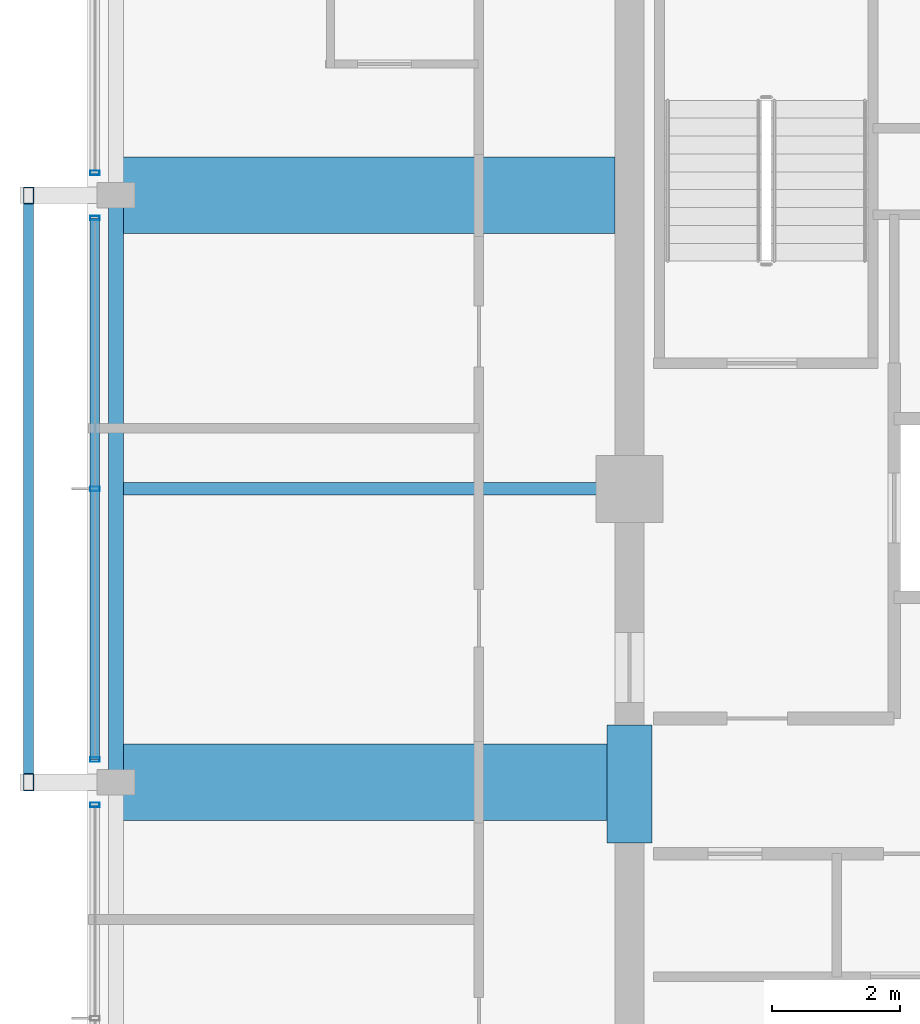
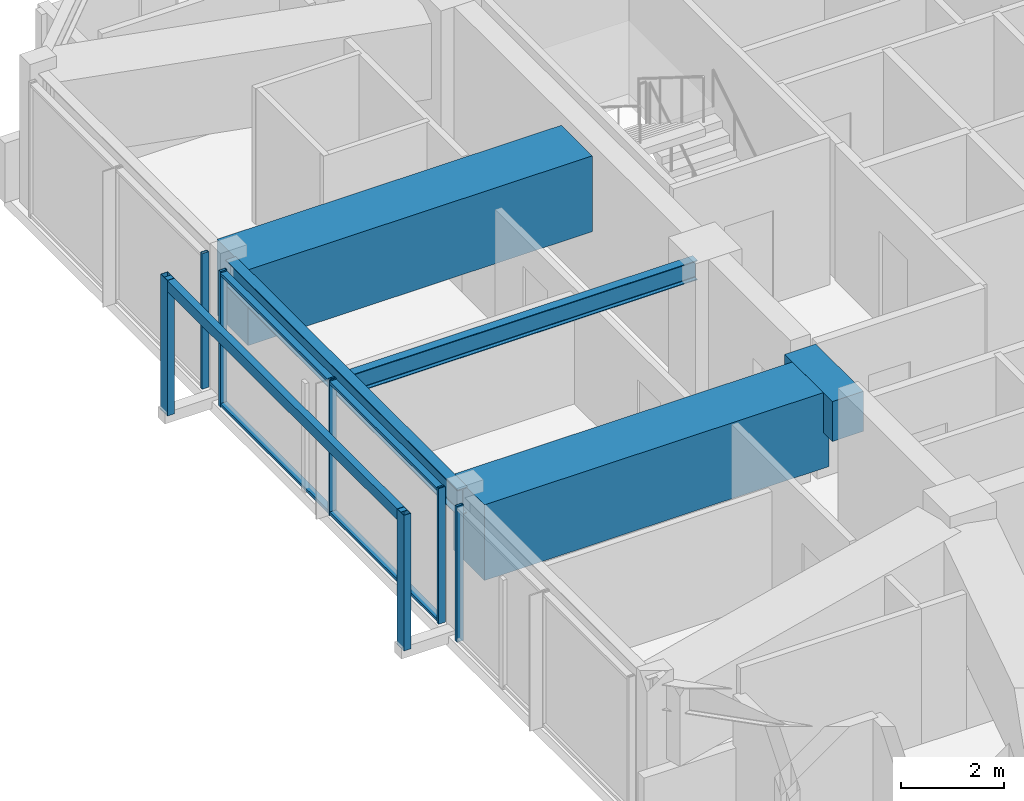
# One storey, part 8 of 30: 10 members, 5 beams, 3 elements without a shape of their own.
"""IFC4 building model written with IfcOpenShell, lengths in metres."""

from ifc_helpers import new_model, si_unit, direction, frame, origin, origin_2d, place, context, subcontext, project, spatial, rectangle, hollow_rectangle, i_section, extrude, material, material_profile, profile_set, type_object, element, aggregate, save


model = new_model("IFC4")

# Units and contexts
model_context = context("Model", 3, precision=1e-05, world=origin(), true_north=direction((0.0, 1.0)))
body_context = subcontext(model_context, "Body", "Model", "MODEL_VIEW")
ifc_project = project(units=[si_unit("LENGTHUNIT", "METRE"), si_unit("AREAUNIT", "SQUARE_METRE"), si_unit("VOLUMEUNIT", "CUBIC_METRE"), si_unit("PLANEANGLEUNIT", "RADIAN"), si_unit("MASSUNIT", "GRAM", prefix="KILO")], contexts=[model_context])

# Site, building, storey
site_placement = place(None, origin())
site = spatial("IfcSite", under=ifc_project, at=site_placement, CompositionType="ELEMENT")
building_placement = place(site_placement, origin())
building = spatial("IfcBuilding", under=site, at=building_placement, Name="Kolvaren Belvedere", CompositionType="ELEMENT")
storey_placement = place(building_placement, frame((0.0, 0.0, 254.89990234375)))
storey = spatial("IfcBuildingStorey", under=building, at=storey_placement, Name="L74", CompositionType="ELEMENT", Elevation=254.89990234375)

# Beams
ifc_material_1 = material(Name="Structural steel ASTM A992 Grade 50", Category="steel")
ifc_material_profile_1 = material_profile(ifc_material_1, i_section(OverallWidth=0.19091796875, OverallDepth=0.4599609375, WebThickness=0.010009765625, FlangeThickness=0.01611328125, FilletRadius=0.014892578125, at=origin_2d()), Name="W18X55")
ifc_profile_set_1 = profile_set([ifc_material_profile_1], Name="Structural steel ASTM A992 Grade 50")
beam_type_1 = type_object("IfcBeamType", Name="BM-JOIST-W18X55", PredefinedType="BEAM", material=ifc_profile_set_1)
beam_1_placement = place(storey_placement, frame((-10.125, 0.0, 2.989990234375), z_axis=(-1.0, 0.0, 0.0), x_axis=(0.0, -1.0, 0.0)))
element("IfcBeam", 1, at=beam_1_placement, inside=storey, type_object=beam_type_1, Name="L74 West Centre Floor Beam", PredefinedType="BEAM", context=body_context, shape_type="SweptSolid", body=[
    extrude(i_section(OverallWidth=0.19091796875, OverallDepth=0.4599609375, WebThickness=0.010009765625, FlangeThickness=0.01611328125, FilletRadius=0.014892578125, at=origin_2d()), origin(), (0.0, 0.0, 1.0), 7.71044921875),
])
ifc_material_2 = material(Name="Concrete C60/75", Category="concrete")
ifc_material_profile_2 = material_profile(ifc_material_2, rectangle(XDim=0.699951171875, YDim=0.949951171875, at=origin_2d()), Name="RC 700X950")
ifc_profile_set_2 = profile_set([ifc_material_profile_2], Name="Concrete C60/75")
beam_type_2 = type_object("IfcBeamType", Name="BM-LINT-950", PredefinedType="LINTEL", material=ifc_profile_set_2)
beam_2_placement = place(storey_placement, frame((-9.89990234375, -5.550048828125, 2.7451171875), z_axis=(0.0, 1.0, 0.0), x_axis=(-1.0, 0.0, 0.0)))
element("IfcBeam", 2, at=beam_2_placement, inside=storey, type_object=beam_type_2, Name="L74 West Core Coupling Lintel", PredefinedType="LINTEL", context=body_context, shape_type="SweptSolid", body=[
    extrude(rectangle(XDim=0.699951171875, YDim=0.949951171875, at=origin_2d()), origin(), (0.0, 0.0, 1.0), 1.85009765625),
])
ifc_material_3 = material(Name="Structural steel ASTM A992 Grade 50", Category="steel")
ifc_material_profile_3 = material_profile(ifc_material_3, i_section(OverallWidth=0.22900390625, OverallDepth=0.612060546875, WebThickness=0.011962890625, FlangeThickness=0.01953125, FilletRadius=0.01806640625, at=origin_2d()), Name="W24X84")
ifc_profile_set_3 = profile_set([ifc_material_profile_3], Name="Structural steel ASTM A992 Grade 50")
beam_type_3 = type_object("IfcBeamType", Name="BM-SPAN-W24X84", PredefinedType="SPANDREL", material=ifc_profile_set_3)
beam_3_placement = place(storey_placement, frame((-17.949951171875, 4.510009765625, 2.9140625), z_axis=(0.0, -1.0, 0.0), x_axis=(1.0, 0.0, 0.0)))
element("IfcBeam", 3, at=beam_3_placement, inside=storey, type_object=beam_type_3, Name="L74 Perimeter Spandrel W3-W2", PredefinedType="SPANDREL", context=body_context, shape_type="SweptSolid", body=[
    extrude(i_section(OverallWidth=0.22900390625, OverallDepth=0.612060546875, WebThickness=0.011962890625, FlangeThickness=0.01953125, FilletRadius=0.01806640625, at=origin_2d()), origin(), (0.0, 0.0, 1.0), 9.02001953125),
])
ifc_material_4 = material(Name="Concrete C50/60", Category="concrete")
ifc_material_profile_4 = material_profile(ifc_material_4, rectangle(XDim=1.199951171875, YDim=1.800048828125, at=origin_2d()), Name="RC 1200X1800")
ifc_profile_set_4 = profile_set([ifc_material_profile_4], Name="Concrete C50/60")
beam_type_4 = type_object("IfcBeamType", Name="BM-TG-1800", PredefinedType="BEAM", material=ifc_profile_set_4)
for number, where, z_axis, x_axis, name in (
    (4, (-10.125, 4.60009765625, 2.320068359375), (-1.0, 0.0, 0.0), (0.0, -1.0, 0.0), "L74 West Radial Girder P"),
    (5, (-10.125, -4.60009765625, 2.320068359375), (-1.0, 0.0, 0.0), (0.0, -1.0, 0.0), "L74 West Radial Girder M"),
):
    element("IfcBeam", number, at=place(storey_placement, frame(where, z_axis=z_axis, x_axis=x_axis)), inside=storey, type_object=beam_type_4, Name=name, PredefinedType="BEAM", context=body_context, shape_type="SweptSolid", body=[
        extrude(rectangle(XDim=1.199951171875, YDim=1.800048828125, at=origin_2d()), origin(), (0.0, 0.0, 1.0), 7.735107421875),
    ])

# Curtain wall, member
ifc_material_5 = material(Name="Anodised pale-metal aluminium AA 6063-T6", Category="aluminium")
curtain_wall_type = type_object("IfcCurtainWallType", Name="CW-Z5-HIGH", PredefinedType="NOTDEFINED", material=ifc_material_5)
curtain_wall_1_placement = place(storey_placement, origin())
curtain_wall_1 = element("IfcCurtainWall", 6, at=curtain_wall_1_placement, inside=storey, type_object=curtain_wall_type, Name="L74 Unitised Curtain Wall FCW-L74-W-B1", PredefinedType="NOTDEFINED")
ifc_material_6 = material(Name="Anodised pale-metal aluminium AA 6063-T6", Category="aluminium")
ifc_material_profile_5 = material_profile(ifc_material_6, hollow_rectangle(XDim=0.070068359375, YDim=0.14990234375, WallThickness=0.004150390625, at=origin_2d()), Name="ALU-MUL-150X70")
ifc_profile_set_5 = profile_set([ifc_material_profile_5], Name="Anodised pale-metal aluminium AA 6063-T6")
member_type_1 = type_object("IfcMemberType", Name="CW-MUL-150", PredefinedType="MULLION", material=ifc_profile_set_5)
member_1_placement = place(storey_placement, frame((-18.280029296875, -4.955078125, 0.0), z_axis=(0.0, 0.0, 1.0), x_axis=(0.0, 1.0, 0.0)))
member_1 = element("IfcMember", 7, at=member_1_placement, type_object=member_type_1, Name="FCW-L74-W-B1 Unitised Mullion 3", PredefinedType="MULLION", context=body_context, shape_type="SweptSolid", body=[
    extrude(hollow_rectangle(XDim=0.070068359375, YDim=0.14990234375, WallThickness=0.004150390625, at=origin_2d()), origin(), (0.0, 0.0, 1.0), 3.22021484375),
])
aggregate(curtain_wall_1, [member_1])

# Curtain wall, members
curtain_wall_2_placement = place(storey_placement, origin())
curtain_wall_2 = element("IfcCurtainWall", 8, at=curtain_wall_2_placement, inside=storey, type_object=curtain_wall_type, Name="L74 Unitised Curtain Wall FCW-L74-W-B2", PredefinedType="NOTDEFINED")
member_2_placement = place(storey_placement, frame((-18.280029296875, -4.2451171875, 0.0), z_axis=(0.0, 0.0, 1.0), x_axis=(0.0, 1.0, 0.0)))
member_2 = element("IfcMember", 9, at=member_2_placement, type_object=member_type_1, Name="FCW-L74-W-B2 Unitised Mullion 1", PredefinedType="MULLION", context=body_context, shape_type="SweptSolid", body=[
    extrude(hollow_rectangle(XDim=0.070068359375, YDim=0.14990234375, WallThickness=0.004150390625, at=origin_2d()), origin(), (0.0, 0.0, 1.0), 3.22021484375),
])
member_3_placement = place(storey_placement, frame((-18.280029296875, 0.0, 0.0), z_axis=(0.0, 0.0, 1.0), x_axis=(0.0, 1.0, 0.0)))
member_3 = element("IfcMember", 10, at=member_3_placement, type_object=member_type_1, Name="FCW-L74-W-B2 Unitised Mullion 2", PredefinedType="MULLION", context=body_context, shape_type="SweptSolid", body=[
    extrude(hollow_rectangle(XDim=0.070068359375, YDim=0.14990234375, WallThickness=0.004150390625, at=origin_2d()), origin(), (0.0, 0.0, 1.0), 3.22021484375),
])
member_4_placement = place(storey_placement, frame((-18.280029296875, 4.2451171875, 0.0), z_axis=(0.0, 0.0, 1.0), x_axis=(0.0, 1.0, 0.0)))
member_4 = element("IfcMember", 11, at=member_4_placement, type_object=member_type_1, Name="FCW-L74-W-B2 Unitised Mullion 3", PredefinedType="MULLION", context=body_context, shape_type="SweptSolid", body=[
    extrude(hollow_rectangle(XDim=0.070068359375, YDim=0.14990234375, WallThickness=0.004150390625, at=origin_2d()), origin(), (0.0, 0.0, 1.0), 3.22021484375),
])

# Curtain wall, member
curtain_wall_3_placement = place(storey_placement, origin())
curtain_wall_3 = element("IfcCurtainWall", 12, at=curtain_wall_3_placement, inside=storey, type_object=curtain_wall_type, Name="L74 Unitised Curtain Wall FCW-L74-W-B3", PredefinedType="NOTDEFINED")
member_5_placement = place(storey_placement, frame((-18.280029296875, 4.955078125, 0.0), z_axis=(0.0, 0.0, 1.0), x_axis=(0.0, 1.0, 0.0)))
member_5 = element("IfcMember", 13, at=member_5_placement, type_object=member_type_1, Name="FCW-L74-W-B3 Unitised Mullion 1", PredefinedType="MULLION", context=body_context, shape_type="SweptSolid", body=[
    extrude(hollow_rectangle(XDim=0.070068359375, YDim=0.14990234375, WallThickness=0.004150390625, at=origin_2d()), origin(), (0.0, 0.0, 1.0), 3.22021484375),
])
aggregate(curtain_wall_3, [member_5])

# Member
ifc_material_7 = material(Name="Anodised pale-metal aluminium AA 6063-T6", Category="aluminium")
ifc_material_profile_6 = material_profile(ifc_material_7, hollow_rectangle(XDim=0.06494140625, YDim=0.14990234375, WallThickness=0.00390625, at=origin_2d()), Name="ALU-TRN-150X65")
ifc_profile_set_6 = profile_set([ifc_material_profile_6], Name="Anodised pale-metal aluminium AA 6063-T6")
member_type_2 = type_object("IfcMemberType", Name="CW-TRN-150", PredefinedType="USERDEFINED", material=ifc_profile_set_6)
member_6_placement = place(storey_placement, frame((-18.280029296875, -4.2451171875, 0.06005859375), z_axis=(0.0, 1.0, 0.0), x_axis=(0.0, 0.0, 1.0)))
member_6 = element("IfcMember", 14, at=member_6_placement, type_object=member_type_2, Name="FCW-L74-W-B2 Sill Transom", ObjectType="TRANSOM", PredefinedType="USERDEFINED", context=body_context, shape_type="SweptSolid", body=[
    extrude(hollow_rectangle(XDim=0.06494140625, YDim=0.14990234375, WallThickness=0.00390625, at=origin_2d()), origin(), (0.0, 0.0, 1.0), 8.490234375),
])

member_7_placement = place(storey_placement, frame((-18.280029296875, -4.2451171875, 3.16015625), z_axis=(0.0, 1.0, 0.0), x_axis=(0.0, 0.0, 1.0)))
member_7 = element("IfcMember", 15, at=member_7_placement, type_object=member_type_2, Name="FCW-L74-W-B2 Head Transom", ObjectType="TRANSOM", PredefinedType="USERDEFINED", context=body_context, shape_type="SweptSolid", body=[
    extrude(hollow_rectangle(XDim=0.06494140625, YDim=0.14990234375, WallThickness=0.00390625, at=origin_2d()), origin(), (0.0, 0.0, 1.0), 8.490234375),
])

aggregate(curtain_wall_2, [member_2, member_3, member_4, member_6, member_7])

# Members
ifc_material_8 = material(Name="Anodised pale-metal aluminium AA 6063-T6", Category="aluminium")
ifc_material_profile_7 = material_profile(ifc_material_8, hollow_rectangle(XDim=0.159912109375, YDim=0.260009765625, WallThickness=0.006591796875, at=origin_2d()), Name="ALU-PF-260X160")
ifc_profile_set_7 = profile_set([ifc_material_profile_7], Name="Anodised pale-metal aluminium AA 6063-T6")
member_type_3 = type_object("IfcMemberType", Name="PF-FRAME-260", PredefinedType="USERDEFINED", material=ifc_profile_set_7)
for number, where, z_axis, x_axis, name in (
    (16, (-19.320068359375, -4.60009765625, 0.0), (0.0, 0.0, 1.0), (1.0, 0.0, 0.0), "L74 Outboard Picture-Frame Vertical W1"),
    (17, (-19.320068359375, 4.60009765625, 0.0), (0.0, 0.0, 1.0), (1.0, 0.0, 0.0), "L74 Outboard Picture-Frame Vertical W2"),
):
    element("IfcMember", number, at=place(storey_placement, frame(where, z_axis=z_axis, x_axis=x_axis)), inside=storey, type_object=member_type_3, Name=name, ObjectType="PICTURE FRAME FIN", PredefinedType="USERDEFINED", context=body_context, shape_type="SweptSolid", body=[
        extrude(hollow_rectangle(XDim=0.159912109375, YDim=0.260009765625, WallThickness=0.006591796875, at=origin_2d()), origin(), (0.0, 0.0, 1.0), 3.22021484375),
    ])
member_8_placement = place(storey_placement, frame((-19.320068359375, -4.60009765625, 3.090087890625), z_axis=(0.0, 1.0, 0.0), x_axis=(-1.0, 0.0, 0.0)))
element("IfcMember", 18, at=member_8_placement, inside=storey, type_object=member_type_3, Name="L74 Outboard Picture-Frame Head W", ObjectType="PICTURE FRAME FIN", PredefinedType="USERDEFINED", context=body_context, shape_type="SweptSolid", body=[
    extrude(hollow_rectangle(XDim=0.159912109375, YDim=0.260009765625, WallThickness=0.006591796875, at=origin_2d()), origin(), (0.0, 0.0, 1.0), 9.2001953125),
])

save(model, "model.ifc")
